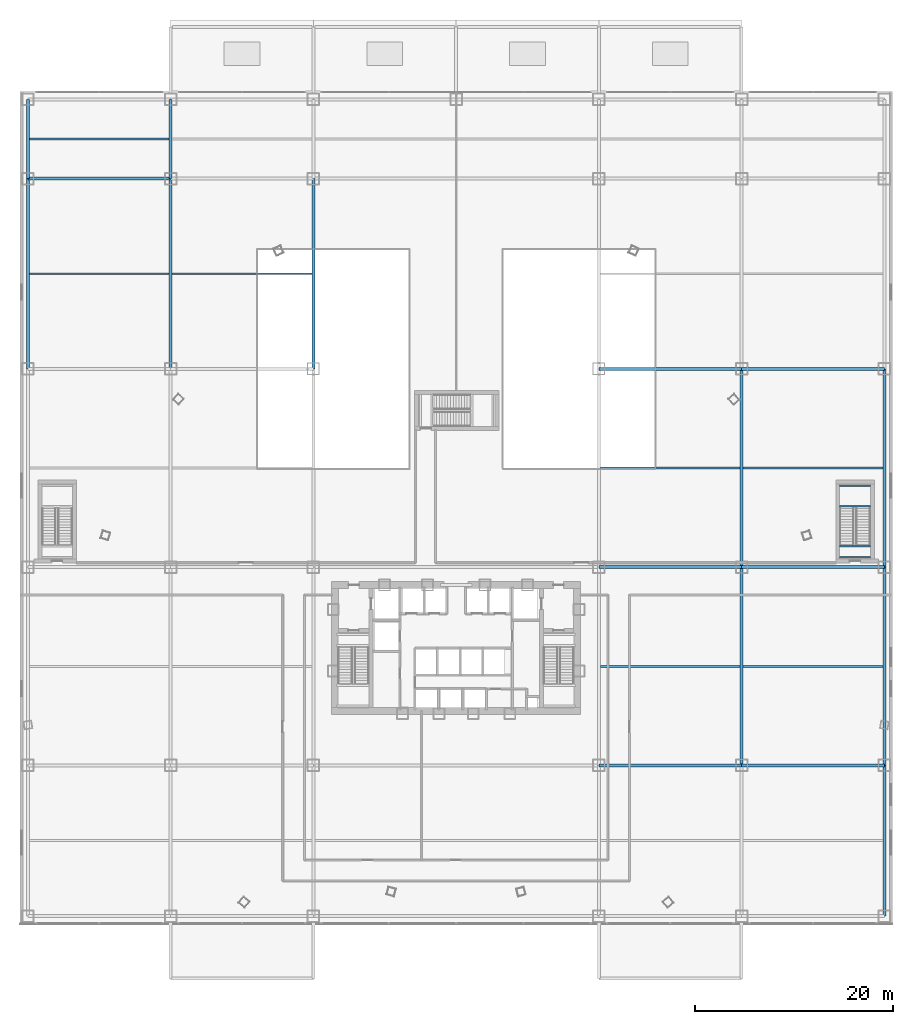
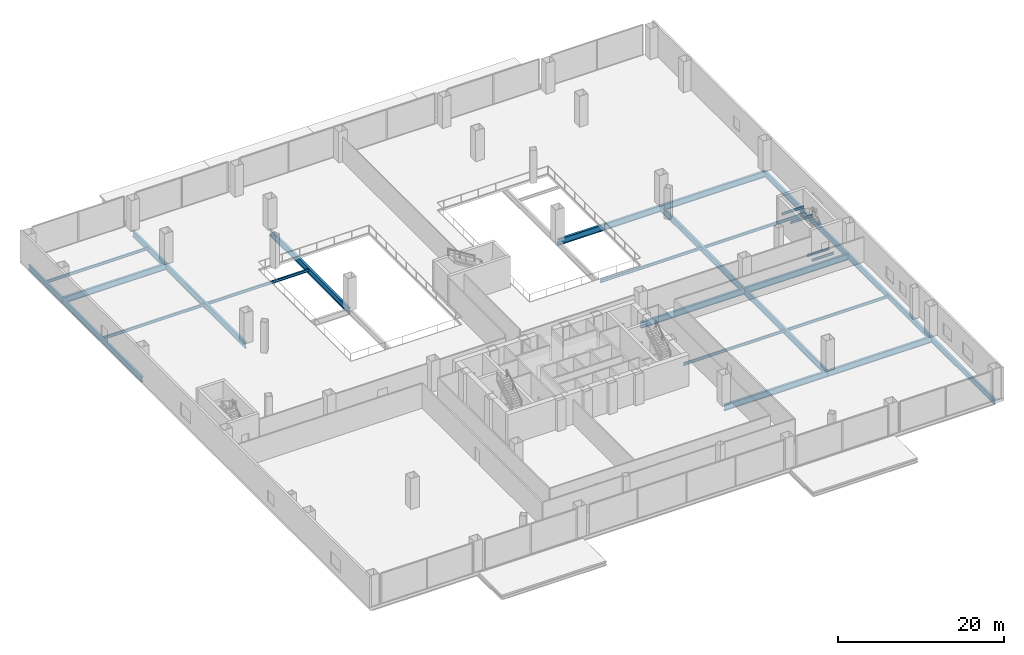
# One storey, part 17 of 42: 28 beams.
"""IFC4 building model written with IfcOpenShell, lengths in metres."""

import ifcopenshell
import ifcopenshell.guid

model = None  # the IFC model being written
_history = None  # IfcOwnerHistory: only IFC2X3 demands one
_inside = {}  # id of a spatial element -> (the spatial element, [elements in it])
_under = {}  # id of a project, library or spatial element -> (it, [spatial elements below it])
_declared = {}  # id of a project -> (the project, [libraries it declares])
_typed = {}  # id of a type object -> (the type object, [elements of that type])
_made_of = {}  # id of a material, layer set ... -> (it, [elements and type objects made of it])


def new_model(schema):
    """Start an empty IFC model of exactly this schema.

    Asked for "IFC4X3", IfcOpenShell would pick the latest addendum, in which some entities
    have other attributes; the version numbers below select the first issue.
    IFC2X3 requires an IfcOwnerHistory on every rooted entity: one is made here for all.
    """
    global model, _history
    if schema == "IFC4X3":
        model = ifcopenshell.file(schema_version=(4, 3, 0, 0))
    else:
        model = ifcopenshell.file(schema=schema)
    _inside.clear()
    _under.clear()
    _declared.clear()
    _typed.clear()
    _made_of.clear()
    _history = None
    if model.schema == "IFC2X3":
        org = make("IfcOrganization", Name="unknown")
        user = make(
            "IfcPersonAndOrganization",
            ThePerson=make("IfcPerson", FamilyName="unknown"),
            TheOrganization=org,
        )
        app = make(
            "IfcApplication",
            ApplicationDeveloper=org,
            Version="unknown",
            ApplicationFullName="unknown",
            ApplicationIdentifier="unknown",
        )
        _history = make(
            "IfcOwnerHistory",
            OwningUser=user,
            OwningApplication=app,
            ChangeAction="ADDED",
            CreationDate=0,
        )
    return model


def make(cls, **values):
    """One entity of the class cls with the attributes given. An attribute that is None is left unset."""
    return model.create_entity(
        cls, **{name: value for name, value in values.items() if value is not None}
    )


def rooted(cls, **values):
    """An entity with a GlobalId (a new one), such as an element, a storey or a relation."""
    return make(cls, GlobalId=ifcopenshell.guid.new(), OwnerHistory=_history, **values)


def si_unit(unit_type, name, prefix=None):
    """IfcSIUnit, for example si_unit("LENGTHUNIT", "METRE", prefix="MILLI")."""
    return make("IfcSIUnit", UnitType=unit_type, Prefix=prefix, Name=name)


def assignment(units):
    """IfcUnitAssignment: the units of a project."""
    return None if units is None else make("IfcUnitAssignment", Units=units)


def point(xyz):
    """IfcCartesianPoint."""
    return None if xyz is None else make("IfcCartesianPoint", Coordinates=xyz)


def direction(xyz):
    """IfcDirection."""
    return None if xyz is None else make("IfcDirection", DirectionRatios=xyz)


def frame(location, z_axis=None, x_axis=None):
    """IfcAxis2Placement3D, a coordinate frame: its origin and axes. An axis left out is left unset."""
    return make(
        "IfcAxis2Placement3D",
        Location=point(location),
        Axis=direction(z_axis),
        RefDirection=direction(x_axis),
    )


def frame_2d(location, x_axis=None):
    """IfcAxis2Placement2D, a coordinate frame in the plane: its origin and x axis."""
    return make(
        "IfcAxis2Placement2D", Location=point(location), RefDirection=direction(x_axis)
    )


def origin():
    """The frame at (0, 0, 0) with its axes left unset."""
    return frame((0.0, 0.0, 0.0))


def origin_2d():
    """The frame at (0, 0) in the plane with its x axis left unset."""
    return frame_2d((0.0, 0.0))


def place(relative_to, where):
    """IfcLocalPlacement: puts the frame where relative to a parent placement (None: the world)."""
    return make(
        "IfcLocalPlacement", PlacementRelTo=relative_to, RelativePlacement=where
    )


def context(
    kind, dimensions, precision=None, world=None, true_north=None, identifier=None
):
    """IfcGeometricRepresentationContext, for example the 3D "Model" context."""
    return make(
        "IfcGeometricRepresentationContext",
        ContextIdentifier=identifier,
        ContextType=kind,
        CoordinateSpaceDimension=dimensions,
        Precision=precision,
        WorldCoordinateSystem=world,
        TrueNorth=true_north,
    )


def subcontext(parent, identifier, kind, view, scale=None):
    """IfcGeometricRepresentationSubContext, for example "Body" below "Model"."""
    return make(
        "IfcGeometricRepresentationSubContext",
        ContextIdentifier=identifier,
        ContextType=kind,
        ParentContext=parent,
        TargetScale=scale,
        TargetView=view,
    )


def project(units=None, contexts=None):
    """IfcProject with its units and contexts."""
    return rooted(
        "IfcProject",
        Name="project",
        RepresentationContexts=contexts,
        UnitsInContext=assignment(units),
    )


def spatial(cls, under=None, at=None, **own):
    """A site, building, storey or space (cls), placed at a placement, below another one or the project."""
    s = rooted(cls, ObjectPlacement=at, **own)
    if under is not None:
        _under.setdefault(under.id(), (under, []))[1].append(s)
    return s


def profile(cls, at=None, kind="AREA", **sizes):
    """A parametric profile (cls). Its sizes go by their IFC names, for example OverallWidth=200.0."""
    return make(cls, ProfileType=kind, Position=at, **sizes)


def i_section(**sizes):
    """IfcIShapeProfileDef."""
    return profile("IfcIShapeProfileDef", **sizes)


def extrude(swept, where, along, depth):
    """IfcExtrudedAreaSolid: the profile swept, set in the frame where, extruded along a direction by depth."""
    return make(
        "IfcExtrudedAreaSolid",
        SweptArea=swept,
        Position=where,
        ExtrudedDirection=direction(along),
        Depth=depth,
    )


def shape(context_of_items, identifier, shape_type, items):
    """IfcShapeRepresentation: the items that make up one representation, for example the "Body"."""
    return make(
        "IfcShapeRepresentation",
        ContextOfItems=context_of_items,
        RepresentationIdentifier=identifier,
        RepresentationType=shape_type,
        Items=items,
    )


def source(mapping_origin, context_of_items, identifier, shape_type, items):
    """IfcRepresentationMap: a shape defined once, which mapped items show again and again."""
    return make(
        "IfcRepresentationMap",
        MappingOrigin=mapping_origin,
        MappedRepresentation=shape(context_of_items, identifier, shape_type, items),
    )


def transform(
    local_origin,
    x_axis=None,
    y_axis=None,
    z_axis=None,
    scale=None,
    scale2=None,
    scale3=None,
    uniform=True,
):
    """IfcCartesianTransformationOperator3D, or its non-uniform kind. x_axis, y_axis, z_axis: its Axis1, 2, 3."""
    if uniform:
        return make(
            "IfcCartesianTransformationOperator3D",
            Axis1=direction(x_axis),
            Axis2=direction(y_axis),
            LocalOrigin=point(local_origin),
            Scale=scale,
            Axis3=direction(z_axis),
        )
    return make(
        "IfcCartesianTransformationOperator3DnonUniform",
        Axis1=direction(x_axis),
        Axis2=direction(y_axis),
        LocalOrigin=point(local_origin),
        Scale=scale,
        Axis3=direction(z_axis),
        Scale2=scale2,
        Scale3=scale3,
    )


def mapped(mapping_source, mapping_target):
    """IfcMappedItem: shows the shape of a source again, moved by a transform."""
    return make(
        "IfcMappedItem", MappingSource=mapping_source, MappingTarget=mapping_target
    )


def material(Name=None, Category=None):
    """IfcMaterial."""
    return make("IfcMaterial", Name=Name, Category=Category)


def material_profile(
    of_material, cross_section, Name=None, Category=None, Priority=None
):
    """IfcMaterialProfile: a cross section and its material."""
    return make(
        "IfcMaterialProfile",
        Name=Name,
        Material=of_material,
        Profile=cross_section,
        Priority=Priority,
        Category=Category,
    )


def profile_set(profiles, Name=None, composite=None):
    """IfcMaterialProfileSet."""
    return make(
        "IfcMaterialProfileSet",
        Name=Name,
        MaterialProfiles=profiles,
        CompositeProfile=composite,
    )


def made_of(thing, what):
    """Note that an element or type object is made of a material, layer set ...; save() writes the relation."""
    if what is not None:
        _made_of.setdefault(what.id(), (what, []))[1].append(thing)
    return thing


def type_object(cls, material=None, **own):
    """A type object (cls), such as IfcWallType, which elements share."""
    return made_of(rooted(cls, **own), material)


def element(
    cls,
    number,
    at=None,
    inside=None,
    cuts=None,
    type_object=None,
    material=None,
    context=None,
    identifier="Body",
    shape_type=None,
    held_by="IfcProductDefinitionShape",
    body=None,
    shapes=None,
    **own,
):
    """One element of the class cls, such as IfcWall. Its Tag is "e" and its number.

    at: its placement. inside: the storey or other place that contains it. cuts: it is an
    opening in that element (IfcRelVoidsElement). A single representation is given by context,
    identifier, shape_type and body (its items); several are given by shapes. held_by: the class
    of the entity that holds the representations. save() writes the other relations.
    """
    e = rooted(cls, Tag="e%d" % number, ObjectPlacement=at, **own)
    if body is not None:
        shapes = [shape(context, identifier, shape_type, body)]
    if shapes is not None:
        e.Representation = make(held_by, Representations=shapes)
    if inside is not None:
        _inside.setdefault(inside.id(), (inside, []))[1].append(e)
    if cuts is not None:
        rooted(
            "IfcRelVoidsElement", RelatingBuildingElement=cuts, RelatedOpeningElement=e
        )
    if type_object is not None:
        _typed.setdefault(type_object.id(), (type_object, []))[1].append(e)
    return made_of(e, material)


def aggregate(whole, parts):
    """IfcRelAggregates: a whole, such as a stair, and the parts it consists of."""
    return rooted("IfcRelAggregates", RelatingObject=whole, RelatedObjects=parts)


def save(model, path):
    """Write the relations noted so far, then the file.

    IfcRelAggregates (storeys below a building ...), IfcRelContainedInSpatialStructure (elements
    in a storey), IfcRelDefinesByType, IfcRelAssociatesMaterial and IfcRelDeclares: one each for
    every whole, place, type object, material and project.
    """
    for whole, parts in _under.values():
        aggregate(whole, parts)
    for where, things in _inside.values():
        rooted(
            "IfcRelContainedInSpatialStructure",
            RelatedElements=things,
            RelatingStructure=where,
        )
    for kind, things in _typed.values():
        rooted("IfcRelDefinesByType", RelatedObjects=things, RelatingType=kind)
    for what, things in _made_of.values():
        rooted("IfcRelAssociatesMaterial", RelatedObjects=things, RelatingMaterial=what)
    for by, libraries in _declared.values():
        rooted("IfcRelDeclares", RelatingContext=by, RelatedDefinitions=libraries)
    model.write(path)


model = new_model("IFC4")

# Units and contexts
model_context = context("Model", 3, precision=1e-05, world=origin(), true_north=direction((0.0, 1.0)))
body_context = subcontext(model_context, "Body", "Model", "MODEL_VIEW")
ifc_project = project(units=[si_unit("LENGTHUNIT", "METRE"), si_unit("AREAUNIT", "SQUARE_METRE"), si_unit("VOLUMEUNIT", "CUBIC_METRE"), si_unit("PLANEANGLEUNIT", "RADIAN"), si_unit("MASSUNIT", "GRAM", prefix="KILO"), si_unit("THERMODYNAMICTEMPERATUREUNIT", "KELVIN"), si_unit("POWERUNIT", "WATT")], contexts=[model_context])

# Site, building, storey
site_placement = place(None, origin())
site = spatial("IfcSite", under=ifc_project, at=site_placement, CompositionType="ELEMENT")
building_placement = place(site_placement, origin())
building = spatial("IfcBuilding", under=site, at=building_placement, Name="Yunzhuo Pagoda Commons", CompositionType="ELEMENT")
storey_placement = place(building_placement, frame((0.0, 0.0, 4.800048828125)))
storey = spatial("IfcBuildingStorey", under=building, at=storey_placement, Name="L02", CompositionType="ELEMENT", Elevation=4.800048828125)

# Beams
ifc_material = material(Name="Structural steel Q355B", Category="steel")
ifc_material_profile_1 = material_profile(ifc_material, i_section(OverallWidth=0.175048828125, OverallDepth=0.35009765625, WebThickness=0.007080078125, FlangeThickness=0.010986328125, at=origin_2d()), Name="Structural steel Q355B")
ifc_profile_set_1 = profile_set([ifc_material_profile_1], Name="Structural steel Q355B")
beam_type_1 = type_object("IfcBeamType", Name="B-JS2 Joist HN 350x175x7x11", PredefinedType="JOIST", material=ifc_profile_set_1)
shared_shape_1 = source(origin(), body_context, "Body", "SweptSolid", [
    extrude(i_section(OverallWidth=0.175048828125, OverallDepth=0.35009765625, WebThickness=0.007080078125, FlangeThickness=0.010986328125, at=origin_2d()), origin(), (0.0, 0.0, 1.0), 3.10009765625),
])
for number, where, z_axis, x_axis, name in (
    (1, (86.699951171875, 48.139892578125, 2.02490234375), (1.0, 0.0, 0.0), (0.0, 1.0, 0.0), "L02 PS4 landing support beam 4A"),
    (2, (86.699951171875, 50.199951171875, 2.02490234375), (1.0, 0.0, 0.0), (0.0, 1.0, 0.0), "L02 PS4 landing support beam 4B"),
    (3, (86.699951171875, 43.0, -0.375), (1.0, 0.0, 0.0), (0.0, 1.0, 0.0), "L02 PS4 landing support beam 12A"),
    (4, (86.699951171875, 44.10009765625, -0.375), (1.0, 0.0, 0.0), (0.0, 1.0, 0.0), "L02 PS4 landing support beam 12B"),
):
    element("IfcBeam", number, at=place(storey_placement, frame(where, z_axis=z_axis, x_axis=x_axis)), inside=storey, type_object=beam_type_1, Name=name, PredefinedType="JOIST", context=body_context, shape_type="MappedRepresentation", body=[
        mapped(shared_shape_1, transform((0.0, 0.0, 0.0), scale=1.0)),
    ])
ifc_material_profile_2 = material_profile(ifc_material, i_section(OverallWidth=0.300048828125, OverallDepth=0.89990234375, WebThickness=0.01611328125, FlangeThickness=0.028076171875, at=origin_2d()), Name="Structural steel Q355B")
ifc_profile_set_2 = profile_set([ifc_material_profile_2], Name="Structural steel Q355B")
beam_type_2 = type_object("IfcBeamType", Name="B-PD1 Beam HN 900x300x16x28", PredefinedType="BEAM", material=ifc_profile_set_2)
shared_shape_2 = source(origin(), body_context, "Body", "SweptSolid", [
    extrude(i_section(OverallWidth=0.300048828125, OverallDepth=0.89990234375, WebThickness=0.01611328125, FlangeThickness=0.028076171875, at=origin_2d()), origin(), (0.0, 0.0, 1.0), 14.39990234375),
])
for number, where, z_axis, x_axis, name in (
    (5, (76.800048828125, 22.0, -0.72998046875), (1.0, 0.0, 0.0), (0.0, 1.0, 0.0), "L02 podium girder EW 2.5"),
    (6, (76.800048828125, 42.0, -0.72998046875), (1.0, 0.0, 0.0), (0.0, 1.0, 0.0), "L02 podium girder EW 3.5"),
    (7, (76.800048828125, 62.0, -0.72998046875), (1.0, 0.0, 0.0), (0.0, 1.0, 0.0), "L02 podium girder EW 4.5"),
    (8, (4.800048828125, 81.199951171875, -0.72998046875), (1.0, 0.0, 0.0), (0.0, 1.0, 0.0), "L02 podium girder EW 5.1"),
):
    element("IfcBeam", number, at=place(storey_placement, frame(where, z_axis=z_axis, x_axis=x_axis)), inside=storey, type_object=beam_type_2, Name=name, PredefinedType="BEAM", context=body_context, shape_type="MappedRepresentation", body=[
        mapped(shared_shape_2, transform((0.0, 0.0, 0.0), scale=1.0)),
    ])
shared_shape_3 = source(origin(), body_context, "Body", "SweptSolid", [
    extrude(i_section(OverallWidth=0.300048828125, OverallDepth=0.89990234375, WebThickness=0.01611328125, FlangeThickness=0.028076171875, at=origin_2d()), origin(), (0.0, 0.0, 1.0), 14.400146484375),
])
for number, where, z_axis, x_axis, name in (
    (9, (62.39990234375, 22.0, -0.72998046875), (1.0, 0.0, 0.0), (0.0, 1.0, 0.0), "L02 podium girder EW 2.4"),
    (10, (62.39990234375, 42.0, -0.72998046875), (1.0, 0.0, 0.0), (0.0, 1.0, 0.0), "L02 podium girder EW 3.4"),
    (11, (62.39990234375, 62.0, -0.72998046875), (1.0, 0.0, 0.0), (0.0, 1.0, 0.0), "L02 podium girder EW 4.4"),
):
    element("IfcBeam", number, at=place(storey_placement, frame(where, z_axis=z_axis, x_axis=x_axis)), inside=storey, type_object=beam_type_2, Name=name, PredefinedType="BEAM", context=body_context, shape_type="MappedRepresentation", body=[
        mapped(shared_shape_3, transform((0.0, 0.0, 0.0), scale=1.0)),
    ])
ifc_material_profile_3 = material_profile(ifc_material, i_section(OverallWidth=0.300048828125, OverallDepth=0.800048828125, WebThickness=0.013916015625, FlangeThickness=0.02587890625, at=origin_2d()), Name="Structural steel Q355B")
ifc_profile_set_3 = profile_set([ifc_material_profile_3], Name="Structural steel Q355B")
beam_type_3 = type_object("IfcBeamType", Name="B-PD2 Beam HN 800x300x14x26", PredefinedType="BEAM", material=ifc_profile_set_3)
shared_shape_4 = source(origin(), body_context, "Body", "SweptSolid", [
    extrude(i_section(OverallWidth=0.300048828125, OverallDepth=0.800048828125, WebThickness=0.013916015625, FlangeThickness=0.02587890625, at=origin_2d()), origin(), (0.0, 0.0, 1.0), 15.199951171875),
])
beam_1_placement = place(storey_placement, frame((91.199951171875, 6.800048828125, -0.679931640625), z_axis=(0.0, 1.0, 0.0), x_axis=(-1.0, 0.0, 0.0)))
element("IfcBeam", 12, at=beam_1_placement, inside=storey, type_object=beam_type_3, Name="L02 podium girder NS 6.1", PredefinedType="BEAM", context=body_context, shape_type="MappedRepresentation", body=[
    mapped(shared_shape_4, transform((0.0, 0.0, 0.0), scale=1.0)),
])
ifc_material_profile_4 = material_profile(ifc_material, i_section(OverallWidth=0.199951171875, OverallDepth=0.39990234375, WebThickness=0.008056640625, FlangeThickness=0.012939453125, at=origin_2d()), Name="Structural steel Q355B")
ifc_profile_set_4 = profile_set([ifc_material_profile_4], Name="Structural steel Q355B")
beam_type_4 = type_object("IfcBeamType", Name="B-JS1 Joist HN 400x200x8x13", PredefinedType="JOIST", material=ifc_profile_set_4)
shared_shape_5 = source(origin(), body_context, "Body", "SweptSolid", [
    extrude(i_section(OverallWidth=0.199951171875, OverallDepth=0.39990234375, WebThickness=0.008056640625, FlangeThickness=0.012939453125, at=origin_2d()), origin(), (0.0, 0.0, 1.0), 14.08984375),
])
for number, where, z_axis, x_axis, name in (
    (13, (4.955078125, 71.60009765625, -0.47998046875), (1.0, 0.0, 0.0), (0.0, 1.0, 0.0), "L02 podium composite joist 1.4"),
    (14, (4.955078125, 85.199951171875, -0.47998046875), (1.0, 0.0, 0.0), (0.0, 1.0, 0.0), "L02 podium composite joist 1.5"),
    (15, (19.355224609375, 71.60009765625, -0.47998046875), (1.0, 0.0, 0.0), (0.0, 1.0, 0.0), "L02 podium composite joist 2.4"),
    (16, (76.955078125, 32.0, -0.47998046875), (1.0, 0.0, 0.0), (0.0, 1.0, 0.0), "L02 podium composite joist 5.2"),
    (17, (76.955078125, 52.0, -0.47998046875), (1.0, 0.0, 0.0), (0.0, 1.0, 0.0), "L02 podium composite joist 5.3"),
):
    element("IfcBeam", number, at=place(storey_placement, frame(where, z_axis=z_axis, x_axis=x_axis)), inside=storey, type_object=beam_type_4, Name=name, PredefinedType="JOIST", context=body_context, shape_type="MappedRepresentation", body=[
        mapped(shared_shape_5, transform((0.0, 0.0, 0.0), scale=1.0)),
    ])
shared_shape_6 = source(origin(), body_context, "Body", "SweptSolid", [
    extrude(i_section(OverallWidth=0.300048828125, OverallDepth=0.800048828125, WebThickness=0.013916015625, FlangeThickness=0.02587890625, at=origin_2d()), origin(), (0.0, 0.0, 1.0), 20.0),
])
for number, where, z_axis, x_axis, name in (
    (18, (91.199951171875, 22.0, -0.679931640625), (0.0, 1.0, 0.0), (-1.0, 0.0, 0.0), "L02 podium girder NS 6.2"),
    (19, (91.199951171875, 42.0, -0.679931640625), (0.0, 1.0, 0.0), (-1.0, 0.0, 0.0), "L02 podium girder NS 6.3"),
):
    element("IfcBeam", number, at=place(storey_placement, frame(where, z_axis=z_axis, x_axis=x_axis)), inside=storey, type_object=beam_type_3, Name=name, PredefinedType="BEAM", context=body_context, shape_type="MappedRepresentation", body=[
        mapped(shared_shape_6, transform((0.0, 0.0, 0.0), scale=1.0)),
    ])
shared_shape_7 = source(origin(), body_context, "Body", "SweptSolid", [
    extrude(i_section(OverallWidth=0.300048828125, OverallDepth=0.800048828125, WebThickness=0.013916015625, FlangeThickness=0.02587890625, at=origin_2d()), origin(), (0.0, 0.0, 1.0), 19.199951171875),
])
beam_2_placement = place(storey_placement, frame((4.800048828125, 62.0, -0.679931640625), z_axis=(0.0, 1.0, 0.0), x_axis=(-1.0, 0.0, 0.0)))
element("IfcBeam", 20, at=beam_2_placement, inside=storey, type_object=beam_type_3, Name="L02 podium girder NS 1.4", PredefinedType="BEAM", context=body_context, shape_type="MappedRepresentation", body=[
    mapped(shared_shape_7, transform((0.0, 0.0, 0.0), scale=1.0)),
])
shared_shape_8 = source(origin(), body_context, "Body", "SweptSolid", [
    extrude(i_section(OverallWidth=0.300048828125, OverallDepth=0.800048828125, WebThickness=0.013916015625, FlangeThickness=0.02587890625, at=origin_2d()), origin(), (0.0, 0.0, 1.0), 8.0),
])
beam_3_placement = place(storey_placement, frame((4.800048828125, 81.199951171875, -0.679931640625), z_axis=(0.0, 1.0, 0.0), x_axis=(-1.0, 0.0, 0.0)))
element("IfcBeam", 21, at=beam_3_placement, inside=storey, type_object=beam_type_3, Name="L02 podium girder NS 1.5", PredefinedType="BEAM", context=body_context, shape_type="MappedRepresentation", body=[
    mapped(shared_shape_8, transform((0.0, 0.0, 0.0), scale=1.0)),
])
shared_shape_9 = source(origin(), body_context, "Body", "SweptSolid", [
    extrude(i_section(OverallWidth=0.300048828125, OverallDepth=0.89990234375, WebThickness=0.01611328125, FlangeThickness=0.028076171875, at=origin_2d()), origin(), (0.0, 0.0, 1.0), 20.0),
])
for number, where, z_axis, x_axis, name in (
    (22, (76.800048828125, 22.0, -0.72998046875), (0.0, 1.0, 0.0), (-1.0, 0.0, 0.0), "L02 podium girder NS 5.2"),
    (23, (76.800048828125, 42.0, -0.72998046875), (0.0, 1.0, 0.0), (-1.0, 0.0, 0.0), "L02 podium girder NS 5.3"),
):
    element("IfcBeam", number, at=place(storey_placement, frame(where, z_axis=z_axis, x_axis=x_axis)), inside=storey, type_object=beam_type_2, Name=name, PredefinedType="BEAM", context=body_context, shape_type="MappedRepresentation", body=[
        mapped(shared_shape_9, transform((0.0, 0.0, 0.0), scale=1.0)),
    ])
shared_shape_10 = source(origin(), body_context, "Body", "SweptSolid", [
    extrude(i_section(OverallWidth=0.300048828125, OverallDepth=0.89990234375, WebThickness=0.01611328125, FlangeThickness=0.028076171875, at=origin_2d()), origin(), (0.0, 0.0, 1.0), 19.199951171875),
])
for number, where, z_axis, x_axis, name in (
    (24, (19.199951171875, 62.0, -0.72998046875), (0.0, 1.0, 0.0), (-1.0, 0.0, 0.0), "L02 podium girder NS 2.4"),
    (25, (33.60009765625, 62.0, -0.72998046875), (0.0, 1.0, 0.0), (-1.0, 0.0, 0.0), "L02 podium girder NS 3.4"),
):
    element("IfcBeam", number, at=place(storey_placement, frame(where, z_axis=z_axis, x_axis=x_axis)), inside=storey, type_object=beam_type_2, Name=name, PredefinedType="BEAM", context=body_context, shape_type="MappedRepresentation", body=[
        mapped(shared_shape_10, transform((0.0, 0.0, 0.0), scale=1.0)),
    ])
shared_shape_11 = source(origin(), body_context, "Body", "SweptSolid", [
    extrude(i_section(OverallWidth=0.300048828125, OverallDepth=0.89990234375, WebThickness=0.01611328125, FlangeThickness=0.028076171875, at=origin_2d()), origin(), (0.0, 0.0, 1.0), 8.0),
])
beam_4_placement = place(storey_placement, frame((19.199951171875, 81.199951171875, -0.72998046875), z_axis=(0.0, 1.0, 0.0), x_axis=(-1.0, 0.0, 0.0)))
element("IfcBeam", 26, at=beam_4_placement, inside=storey, type_object=beam_type_2, Name="L02 podium girder NS 2.5", PredefinedType="BEAM", context=body_context, shape_type="MappedRepresentation", body=[
    mapped(shared_shape_11, transform((0.0, 0.0, 0.0), scale=1.0)),
])
shared_shape_12 = source(origin(), body_context, "Body", "SweptSolid", [
    extrude(i_section(OverallWidth=0.199951171875, OverallDepth=0.39990234375, WebThickness=0.008056640625, FlangeThickness=0.012939453125, at=origin_2d()), origin(), (0.0, 0.0, 1.0), 14.09033203125),
])
for number, where, z_axis, x_axis, name in (
    (27, (62.554931640625, 32.0, -0.47998046875), (1.0, 0.0, 0.0), (0.0, 1.0, 0.0), "L02 podium composite joist 4.2"),
    (28, (62.554931640625, 52.0, -0.47998046875), (1.0, 0.0, 0.0), (0.0, 1.0, 0.0), "L02 podium composite joist 4.3"),
):
    element("IfcBeam", number, at=place(storey_placement, frame(where, z_axis=z_axis, x_axis=x_axis)), inside=storey, type_object=beam_type_4, Name=name, PredefinedType="JOIST", context=body_context, shape_type="MappedRepresentation", body=[
        mapped(shared_shape_12, transform((0.0, 0.0, 0.0), scale=1.0)),
    ])

save(model, "model.ifc")
